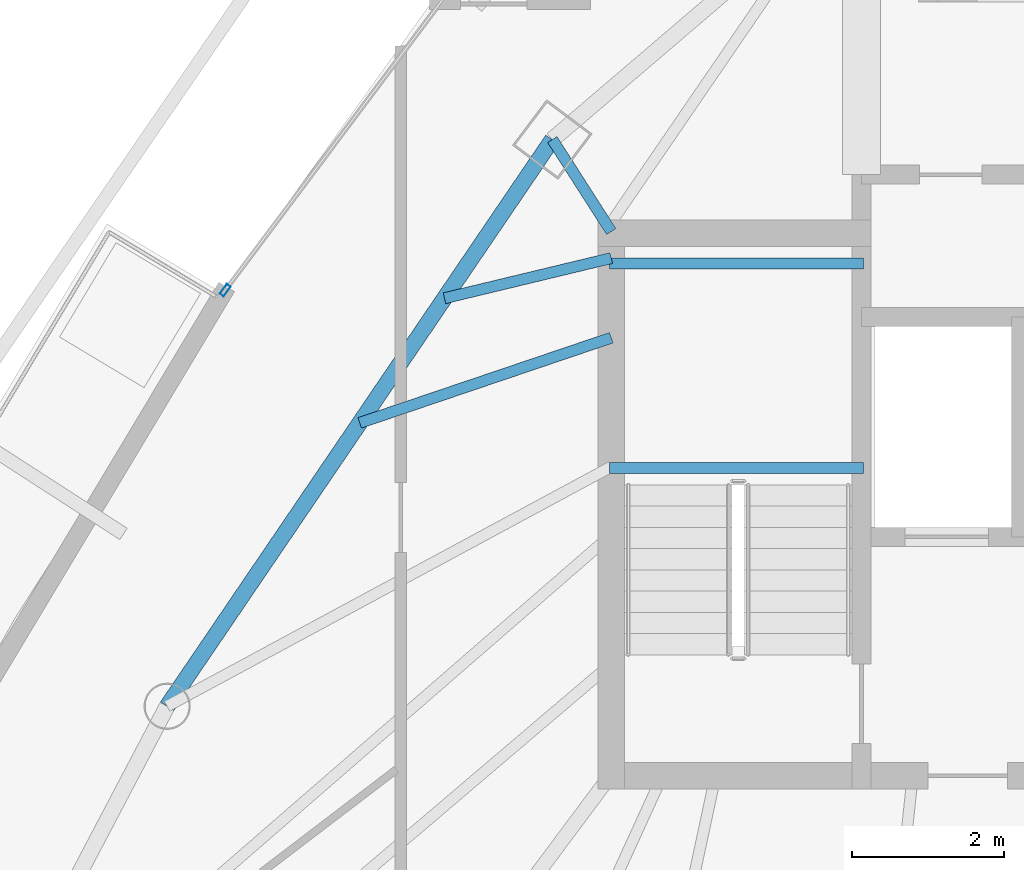
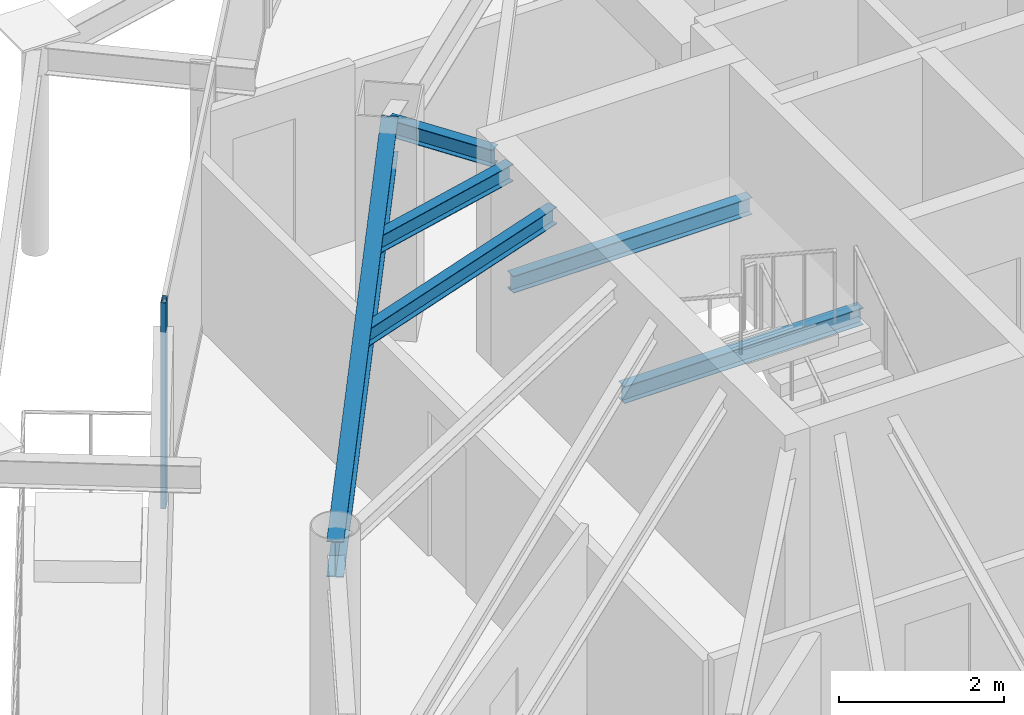
# One storey, part 13 of 33: 6 beams, 1 member, 1 element without a shape of its own.
"""IFC4 building model written with IfcOpenShell, lengths in metres."""

import ifcopenshell
import ifcopenshell.guid

model = None  # the IFC model being written
_history = None  # IfcOwnerHistory: only IFC2X3 demands one
_inside = {}  # id of a spatial element -> (the spatial element, [elements in it])
_under = {}  # id of a project, library or spatial element -> (it, [spatial elements below it])
_declared = {}  # id of a project -> (the project, [libraries it declares])
_typed = {}  # id of a type object -> (the type object, [elements of that type])
_made_of = {}  # id of a material, layer set ... -> (it, [elements and type objects made of it])


def new_model(schema):
    """Start an empty IFC model of exactly this schema.

    Asked for "IFC4X3", IfcOpenShell would pick the latest addendum, in which some entities
    have other attributes; the version numbers below select the first issue.
    IFC2X3 requires an IfcOwnerHistory on every rooted entity: one is made here for all.
    """
    global model, _history
    if schema == "IFC4X3":
        model = ifcopenshell.file(schema_version=(4, 3, 0, 0))
    else:
        model = ifcopenshell.file(schema=schema)
    _inside.clear()
    _under.clear()
    _declared.clear()
    _typed.clear()
    _made_of.clear()
    _history = None
    if model.schema == "IFC2X3":
        org = make("IfcOrganization", Name="unknown")
        user = make(
            "IfcPersonAndOrganization",
            ThePerson=make("IfcPerson", FamilyName="unknown"),
            TheOrganization=org,
        )
        app = make(
            "IfcApplication",
            ApplicationDeveloper=org,
            Version="unknown",
            ApplicationFullName="unknown",
            ApplicationIdentifier="unknown",
        )
        _history = make(
            "IfcOwnerHistory",
            OwningUser=user,
            OwningApplication=app,
            ChangeAction="ADDED",
            CreationDate=0,
        )
    return model


def make(cls, **values):
    """One entity of the class cls with the attributes given. An attribute that is None is left unset."""
    return model.create_entity(
        cls, **{name: value for name, value in values.items() if value is not None}
    )


def rooted(cls, **values):
    """An entity with a GlobalId (a new one), such as an element, a storey or a relation."""
    return make(cls, GlobalId=ifcopenshell.guid.new(), OwnerHistory=_history, **values)


def si_unit(unit_type, name, prefix=None):
    """IfcSIUnit, for example si_unit("LENGTHUNIT", "METRE", prefix="MILLI")."""
    return make("IfcSIUnit", UnitType=unit_type, Prefix=prefix, Name=name)


def assignment(units):
    """IfcUnitAssignment: the units of a project."""
    return None if units is None else make("IfcUnitAssignment", Units=units)


def point(xyz):
    """IfcCartesianPoint."""
    return None if xyz is None else make("IfcCartesianPoint", Coordinates=xyz)


def direction(xyz):
    """IfcDirection."""
    return None if xyz is None else make("IfcDirection", DirectionRatios=xyz)


def frame(location, z_axis=None, x_axis=None):
    """IfcAxis2Placement3D, a coordinate frame: its origin and axes. An axis left out is left unset."""
    return make(
        "IfcAxis2Placement3D",
        Location=point(location),
        Axis=direction(z_axis),
        RefDirection=direction(x_axis),
    )


def frame_2d(location, x_axis=None):
    """IfcAxis2Placement2D, a coordinate frame in the plane: its origin and x axis."""
    return make(
        "IfcAxis2Placement2D", Location=point(location), RefDirection=direction(x_axis)
    )


def origin():
    """The frame at (0, 0, 0) with its axes left unset."""
    return frame((0.0, 0.0, 0.0))


def origin_2d():
    """The frame at (0, 0) in the plane with its x axis left unset."""
    return frame_2d((0.0, 0.0))


def place(relative_to, where):
    """IfcLocalPlacement: puts the frame where relative to a parent placement (None: the world)."""
    return make(
        "IfcLocalPlacement", PlacementRelTo=relative_to, RelativePlacement=where
    )


def context(
    kind, dimensions, precision=None, world=None, true_north=None, identifier=None
):
    """IfcGeometricRepresentationContext, for example the 3D "Model" context."""
    return make(
        "IfcGeometricRepresentationContext",
        ContextIdentifier=identifier,
        ContextType=kind,
        CoordinateSpaceDimension=dimensions,
        Precision=precision,
        WorldCoordinateSystem=world,
        TrueNorth=true_north,
    )


def subcontext(parent, identifier, kind, view, scale=None):
    """IfcGeometricRepresentationSubContext, for example "Body" below "Model"."""
    return make(
        "IfcGeometricRepresentationSubContext",
        ContextIdentifier=identifier,
        ContextType=kind,
        ParentContext=parent,
        TargetScale=scale,
        TargetView=view,
    )


def project(units=None, contexts=None):
    """IfcProject with its units and contexts."""
    return rooted(
        "IfcProject",
        Name="project",
        RepresentationContexts=contexts,
        UnitsInContext=assignment(units),
    )


def spatial(cls, under=None, at=None, **own):
    """A site, building, storey or space (cls), placed at a placement, below another one or the project."""
    s = rooted(cls, ObjectPlacement=at, **own)
    if under is not None:
        _under.setdefault(under.id(), (under, []))[1].append(s)
    return s


def profile(cls, at=None, kind="AREA", **sizes):
    """A parametric profile (cls). Its sizes go by their IFC names, for example OverallWidth=200.0."""
    return make(cls, ProfileType=kind, Position=at, **sizes)


def hollow_rectangle(**sizes):
    """IfcRectangleHollowProfileDef."""
    return profile("IfcRectangleHollowProfileDef", **sizes)


def i_section(**sizes):
    """IfcIShapeProfileDef."""
    return profile("IfcIShapeProfileDef", **sizes)


def extrude(swept, where, along, depth):
    """IfcExtrudedAreaSolid: the profile swept, set in the frame where, extruded along a direction by depth."""
    return make(
        "IfcExtrudedAreaSolid",
        SweptArea=swept,
        Position=where,
        ExtrudedDirection=direction(along),
        Depth=depth,
    )


def shape(context_of_items, identifier, shape_type, items):
    """IfcShapeRepresentation: the items that make up one representation, for example the "Body"."""
    return make(
        "IfcShapeRepresentation",
        ContextOfItems=context_of_items,
        RepresentationIdentifier=identifier,
        RepresentationType=shape_type,
        Items=items,
    )


def material(Name=None, Category=None):
    """IfcMaterial."""
    return make("IfcMaterial", Name=Name, Category=Category)


def layer(
    of_material, thickness, ventilated=None, Name=None, Category=None, Priority=None
):
    """IfcMaterialLayer: one layer of a wall or slab, of a material (None: an air gap)."""
    return make(
        "IfcMaterialLayer",
        Material=of_material,
        LayerThickness=thickness,
        IsVentilated=ventilated,
        Name=Name,
        Category=Category,
        Priority=Priority,
    )


def layer_set(layers, Name=None):
    """IfcMaterialLayerSet."""
    return make("IfcMaterialLayerSet", MaterialLayers=layers, LayerSetName=Name)


def material_profile(
    of_material, cross_section, Name=None, Category=None, Priority=None
):
    """IfcMaterialProfile: a cross section and its material."""
    return make(
        "IfcMaterialProfile",
        Name=Name,
        Material=of_material,
        Profile=cross_section,
        Priority=Priority,
        Category=Category,
    )


def profile_set(profiles, Name=None, composite=None):
    """IfcMaterialProfileSet."""
    return make(
        "IfcMaterialProfileSet",
        Name=Name,
        MaterialProfiles=profiles,
        CompositeProfile=composite,
    )


def made_of(thing, what):
    """Note that an element or type object is made of a material, layer set ...; save() writes the relation."""
    if what is not None:
        _made_of.setdefault(what.id(), (what, []))[1].append(thing)
    return thing


def type_object(cls, material=None, **own):
    """A type object (cls), such as IfcWallType, which elements share."""
    return made_of(rooted(cls, **own), material)


def element(
    cls,
    number,
    at=None,
    inside=None,
    cuts=None,
    type_object=None,
    material=None,
    context=None,
    identifier="Body",
    shape_type=None,
    held_by="IfcProductDefinitionShape",
    body=None,
    shapes=None,
    **own,
):
    """One element of the class cls, such as IfcWall. Its Tag is "e" and its number.

    at: its placement. inside: the storey or other place that contains it. cuts: it is an
    opening in that element (IfcRelVoidsElement). A single representation is given by context,
    identifier, shape_type and body (its items); several are given by shapes. held_by: the class
    of the entity that holds the representations. save() writes the other relations.
    """
    e = rooted(cls, Tag="e%d" % number, ObjectPlacement=at, **own)
    if body is not None:
        shapes = [shape(context, identifier, shape_type, body)]
    if shapes is not None:
        e.Representation = make(held_by, Representations=shapes)
    if inside is not None:
        _inside.setdefault(inside.id(), (inside, []))[1].append(e)
    if cuts is not None:
        rooted(
            "IfcRelVoidsElement", RelatingBuildingElement=cuts, RelatedOpeningElement=e
        )
    if type_object is not None:
        _typed.setdefault(type_object.id(), (type_object, []))[1].append(e)
    return made_of(e, material)


def aggregate(whole, parts):
    """IfcRelAggregates: a whole, such as a stair, and the parts it consists of."""
    return rooted("IfcRelAggregates", RelatingObject=whole, RelatedObjects=parts)


def save(model, path):
    """Write the relations noted so far, then the file.

    IfcRelAggregates (storeys below a building ...), IfcRelContainedInSpatialStructure (elements
    in a storey), IfcRelDefinesByType, IfcRelAssociatesMaterial and IfcRelDeclares: one each for
    every whole, place, type object, material and project.
    """
    for whole, parts in _under.values():
        aggregate(whole, parts)
    for where, things in _inside.values():
        rooted(
            "IfcRelContainedInSpatialStructure",
            RelatedElements=things,
            RelatingStructure=where,
        )
    for kind, things in _typed.values():
        rooted("IfcRelDefinesByType", RelatedObjects=things, RelatingType=kind)
    for what, things in _made_of.values():
        rooted("IfcRelAssociatesMaterial", RelatedObjects=things, RelatingMaterial=what)
    for by, libraries in _declared.values():
        rooted("IfcRelDeclares", RelatingContext=by, RelatedDefinitions=libraries)
    model.write(path)


model = new_model("IFC4")

# Units and contexts
model_context = context("Model", 3, precision=1e-05, world=origin(), true_north=direction((0.0, 1.0)))
body_context = subcontext(model_context, "Body", "Model", "MODEL_VIEW")
ifc_project = project(units=[si_unit("LENGTHUNIT", "METRE"), si_unit("AREAUNIT", "SQUARE_METRE"), si_unit("VOLUMEUNIT", "CUBIC_METRE"), si_unit("PLANEANGLEUNIT", "RADIAN"), si_unit("MASSUNIT", "GRAM", prefix="KILO")], contexts=[model_context])

# Site, building, storey
site_placement = place(None, origin())
site = spatial("IfcSite", under=ifc_project, at=site_placement, CompositionType="ELEMENT")
building_placement = place(site_placement, origin())
building = spatial("IfcBuilding", under=site, at=building_placement, Name="Orvanel Arch Residences", CompositionType="ELEMENT")
storey_placement = place(building_placement, frame((0.0, 0.0, 212.89990234375)))
storey = spatial("IfcBuildingStorey", under=building, at=storey_placement, Name="L60", CompositionType="ELEMENT", Elevation=212.89990234375)

# Beams
ifc_material_1 = material(Name="Structural steel AS/NZS 3679.1 Grade 300 (300 MPa)", Category="steel")
ifc_material_profile_1 = material_profile(ifc_material_1, i_section(OverallWidth=0.14599609375, OverallDepth=0.251953125, WebThickness=0.006103515625, FlangeThickness=0.008544921875, at=origin_2d()), Name="250UB31.4")
ifc_profile_set_1 = profile_set([ifc_material_profile_1], Name="Structural steel AS/NZS 3679.1 Grade 300 (300 MPa)")
beam_type_1 = type_object("IfcBeamType", Name="BJ-250UB", PredefinedType="JOIST", material=ifc_profile_set_1)
for number, where, z_axis, x_axis, name in (
    (1, (26.39990234375, 30.780029296875, 1.32421875), (1.0, 0.0, 0.0), (0.0, 1.0, 0.0), "L60 ST-1 Half-Landing Support Beam 1.1"),
    (2, (26.39990234375, 33.47998046875, 1.32421875), (1.0, 0.0, 0.0), (0.0, 1.0, 0.0), "L60 ST-1 Half-Landing Support Beam 1.2"),
):
    element("IfcBeam", number, at=place(storey_placement, frame(where, z_axis=z_axis, x_axis=x_axis)), inside=storey, type_object=beam_type_1, Name=name, PredefinedType="JOIST", context=body_context, shape_type="SweptSolid", body=[
        extrude(i_section(OverallWidth=0.14599609375, OverallDepth=0.251953125, WebThickness=0.006103515625, FlangeThickness=0.008544921875, at=origin_2d()), origin(), (0.0, 0.0, 1.0), 3.35009765625),
    ])
beam_1_placement = place(storey_placement, frame((26.425048828125, 33.89990234375, 2.93408203125), z_axis=(-0.539395075146, 0.842052820735, 0.0), x_axis=(-0.842052820735, -0.539395075146, 0.0)))
element("IfcBeam", 3, at=beam_1_placement, inside=storey, type_object=beam_type_1, Name="L60 NNW Wing Floor Joist", PredefinedType="JOIST", context=body_context, shape_type="SweptSolid", body=[
    extrude(i_section(OverallWidth=0.14599609375, OverallDepth=0.251953125, WebThickness=0.006103515625, FlangeThickness=0.008544921875, at=origin_2d()), origin(), (0.0, 0.0, 1.0), 1.440673828125),
])
beam_2_placement = place(storey_placement, frame((26.425048828125, 32.5, 2.93408203125), z_axis=(-0.947187956478, -0.320678928373, 0.0), x_axis=(0.320678928373, -0.947187956478, 0.0)))
element("IfcBeam", 4, at=beam_2_placement, inside=storey, type_object=beam_type_1, Name="L60 WNW Wing Floor Joist", PredefinedType="JOIST", context=body_context, shape_type="SweptSolid", body=[
    extrude(i_section(OverallWidth=0.14599609375, OverallDepth=0.251953125, WebThickness=0.006103515625, FlangeThickness=0.008544921875, at=origin_2d()), origin(), (0.0, 0.0, 1.0), 3.502197265625),
])
beam_3_placement = place(storey_placement, frame((26.425048828125, 33.550048828125, 2.93408203125), z_axis=(-0.972256833016, -0.23391590509, 0.0), x_axis=(0.23391590509, -0.972256833016, 0.0)))
element("IfcBeam", 5, at=beam_3_placement, inside=storey, type_object=beam_type_1, Name="L60 JADD3 Wing Floor Joist", PredefinedType="JOIST", context=body_context, shape_type="SweptSolid", body=[
    extrude(i_section(OverallWidth=0.14599609375, OverallDepth=0.251953125, WebThickness=0.006103515625, FlangeThickness=0.008544921875, at=origin_2d()), origin(), (0.0, 0.0, 1.0), 2.26171875),
])

# Curtain wall, member
ifc_material_2 = material(Name="Bronze-anodised aluminium AA6063-T6", Category="aluminium")
ifc_layer = layer(ifc_material_2, 0.175048828125)
ifc_layer_set = layer_set([ifc_layer], Name="Bronze-anodised aluminium AA6063-T6")
curtain_wall_type = type_object("IfcCurtainWallType", Name="CW4-HI-SYS", PredefinedType="NOTDEFINED", material=ifc_layer_set)
curtain_wall_placement = place(storey_placement, origin())
curtain_wall = element("IfcCurtainWall", 6, at=curtain_wall_placement, inside=storey, type_object=curtain_wall_type, Name="L60 CW4-HI-SYS Unitised Curtain Wall", PredefinedType="NOTDEFINED")
ifc_material_profile_2 = material_profile(ifc_material_2, hollow_rectangle(XDim=0.06494140625, YDim=0.159912109375, WallThickness=0.00390625, at=origin_2d()), Name="ALU160x65x4")
ifc_profile_set_2 = profile_set([ifc_material_profile_2], Name="Bronze-anodised aluminium AA6063-T6")
member_type = type_object("IfcMemberType", Name="MUL-160x65", PredefinedType="MULLION", material=ifc_profile_set_2)
member_placement = place(storey_placement, frame((21.33447265625, 33.126953125, 0.0), z_axis=(0.0, 0.0, 1.0), x_axis=(0.800635505282, -0.599151723424, 0.0)))
member = element("IfcMember", 7, at=member_placement, type_object=member_type, Name="CW-S4 mullion 3", PredefinedType="MULLION", context=body_context, shape_type="SweptSolid", body=[
    extrude(hollow_rectangle(XDim=0.06494140625, YDim=0.159912109375, WallThickness=0.00390625, at=origin_2d()), origin(), (0.0, 0.0, 1.0), 3.06005859375),
])
aggregate(curtain_wall, [member])

# Beam
ifc_material_profile_3 = material_profile(ifc_material_1, i_section(OverallWidth=0.208984375, OverallDepth=0.532958984375, WebThickness=0.01025390625, FlangeThickness=0.015625, at=origin_2d()), Name="530UB92.4")
ifc_profile_set_3 = profile_set([ifc_material_profile_3], Name="Structural steel AS/NZS 3679.1 Grade 300 (300 MPa)")
beam_type_2 = type_object("IfcBeamType", Name="SP-530UB", PredefinedType="SPANDREL", material=ifc_profile_set_3)
beam_4_placement = place(storey_placement, frame((25.64794921875, 35.113037109375, 2.794189453125), z_axis=(-0.562154793153, -0.827032035978, 0.0), x_axis=(0.827032035978, -0.562154793153, 0.0)))
element("IfcBeam", 8, at=beam_4_placement, inside=storey, type_object=beam_type_2, Name="L60 Perimeter Spandrel Beam 11", PredefinedType="SPANDREL", context=body_context, shape_type="SweptSolid", body=[
    extrude(i_section(OverallWidth=0.208984375, OverallDepth=0.532958984375, WebThickness=0.01025390625, FlangeThickness=0.015625, at=origin_2d()), origin(), (0.0, 0.0, 1.0), 9.03466796875),
])

save(model, "model.ifc")
